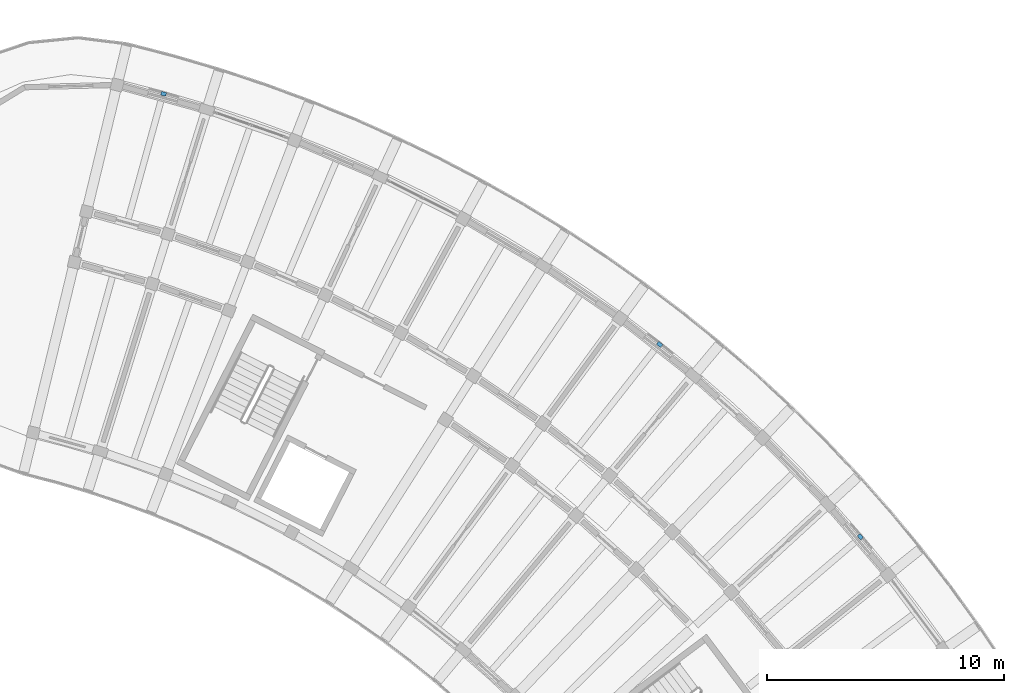
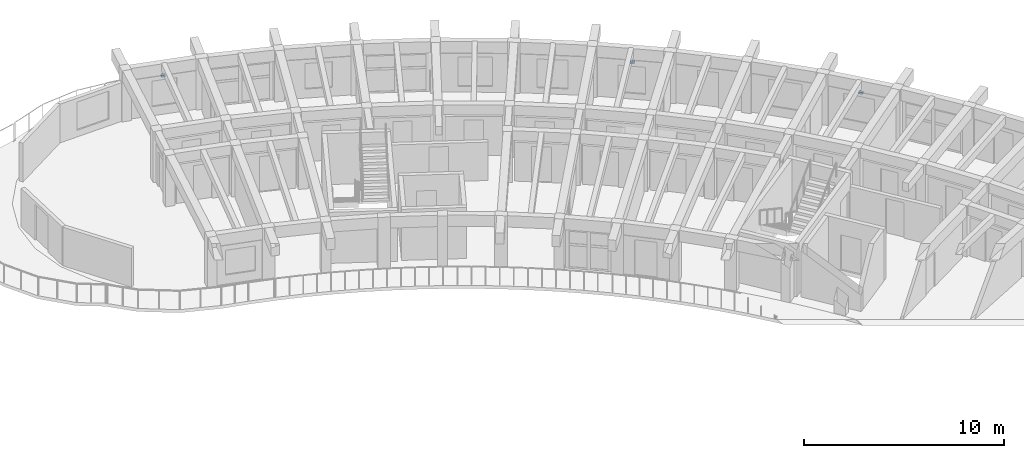
# One storey, part 48 of 62: 3 discrete accessories.
"""IFC4 building model written with IfcOpenShell, lengths in metres."""

from ifc_helpers import new_model, si_unit, direction, frame, origin, origin_2d, place, context, subcontext, project, spatial, rectangle, extrude, material, type_object, element, save


model = new_model("IFC4")

# Units and contexts
model_context = context("Model", 3, precision=1e-05, world=origin(), true_north=direction((0.0, 1.0)))
body_context = subcontext(model_context, "Body", "Model", "MODEL_VIEW")
ifc_project = project(units=[si_unit("LENGTHUNIT", "METRE"), si_unit("AREAUNIT", "SQUARE_METRE"), si_unit("VOLUMEUNIT", "CUBIC_METRE"), si_unit("PLANEANGLEUNIT", "RADIAN"), si_unit("MASSUNIT", "GRAM", prefix="KILO")], contexts=[model_context])

# Site, building, storey
site_placement = place(None, origin())
site = spatial("IfcSite", under=ifc_project, at=site_placement, CompositionType="ELEMENT")
building_placement = place(site_placement, origin())
building = spatial("IfcBuilding", under=site, at=building_placement, Name="Tanwirah Colonnade Gardens", CompositionType="ELEMENT")
storey_placement = place(building_placement, frame((0.0, 0.0, 32.360107421875)))
storey = spatial("IfcBuildingStorey", under=building, at=storey_placement, Name="L09", CompositionType="ELEMENT", Elevation=32.360107421875)

# Discrete accessories
ifc_material = material(Name="Steel S355", Category="steel")
discrete_accessory_type = type_object("IfcDiscreteAccessoryType", Name="BRK-SS1", PredefinedType="BRACKET", material=ifc_material)
for number, where, z_axis, x_axis, name in (
    (1, (166.32373046875, 99.0224609375, 2.10986328125), (0.0, 0.0, 1.0), (-0.650186200632, 0.759774903842, 0.0), "Solar screen support bracket B-L09-06"),
    (2, (157.85400390625, 107.138427734375, 1.999755859375), (0.0, 0.0, 1.0), (-0.786815552397, 0.617188209954, 0.0), "Solar screen support bracket B-L09-09"),
    (3, (136.9189453125, 117.71533203125, 2.10986328125), (0.0, 0.0, 1.0), (-0.963889235289, 0.266303477436, 0.0), "Solar screen support bracket B-L09-15"),
):
    element("IfcDiscreteAccessory", number, at=place(storey_placement, frame(where, z_axis=z_axis, x_axis=x_axis)), inside=storey, type_object=discrete_accessory_type, Name=name, PredefinedType="BRACKET", context=body_context, shape_type="SweptSolid", body=[
        extrude(rectangle(XDim=0.219970703125, YDim=0.159912109375, at=origin_2d()), origin(), (0.0, 0.0, 1.0), 0.1201171875),
    ])

save(model, "model.ifc")
